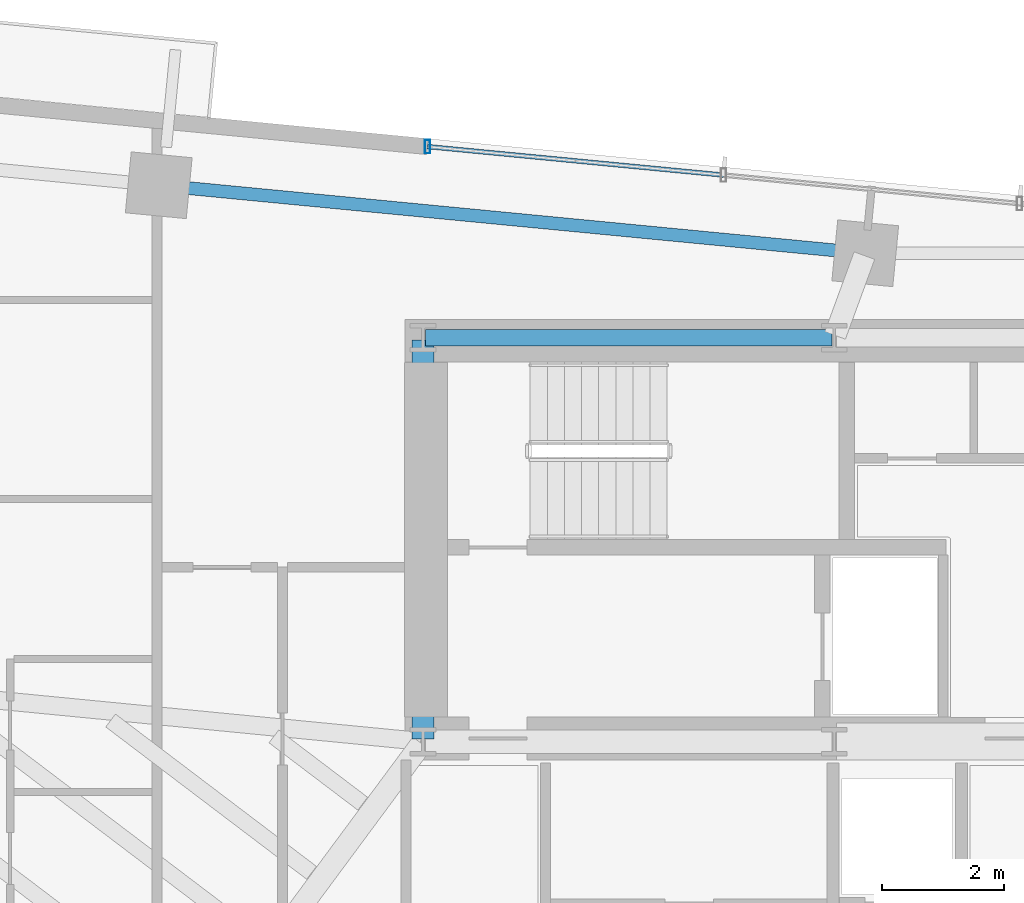
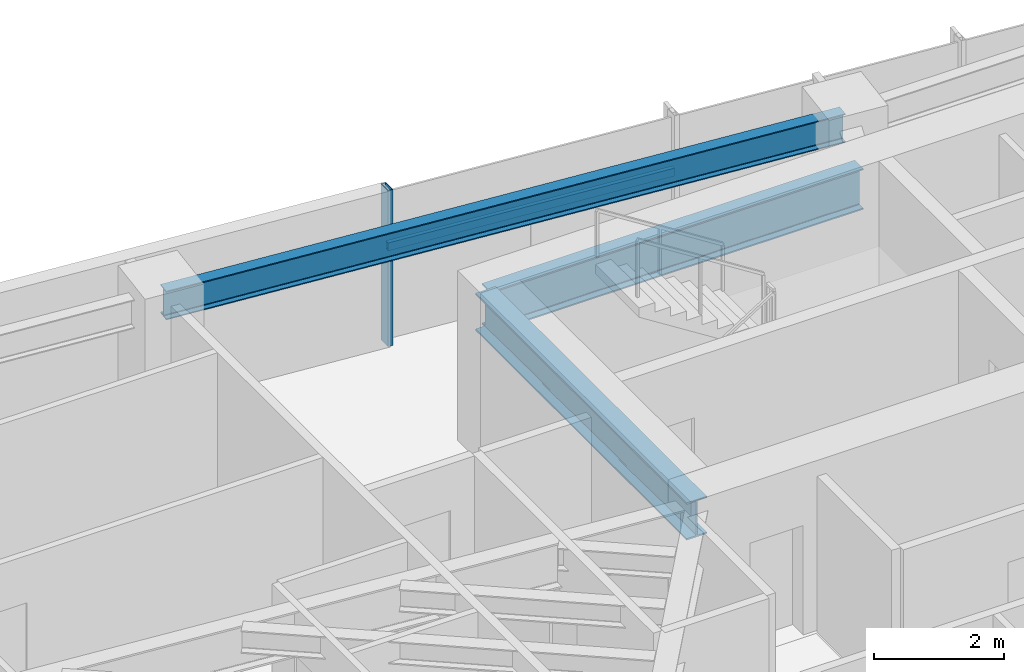
# One storey, part 7 of 20: 3 beams, 2 members, 1 element without a shape of its own.
"""IFC4 building model written with IfcOpenShell, lengths in metres."""

from ifc_helpers import new_model, si_unit, direction, frame, origin, origin_2d, place, context, subcontext, project, spatial, hollow_rectangle, i_section, extrude, source, transform, mapped, material, material_profile, profile_set, type_object, type_shapes, element, aggregate, save


model = new_model("IFC4")

# Units and contexts
model_context = context("Model", 3, precision=1e-05, world=origin(), true_north=direction((0.0, 1.0)))
body_context = subcontext(model_context, "Body", "Model", "MODEL_VIEW")
ifc_project = project(units=[si_unit("LENGTHUNIT", "METRE"), si_unit("AREAUNIT", "SQUARE_METRE"), si_unit("VOLUMEUNIT", "CUBIC_METRE"), si_unit("PLANEANGLEUNIT", "RADIAN"), si_unit("MASSUNIT", "GRAM", prefix="KILO")], contexts=[model_context])

# Site, building, storey
site_placement = place(None, origin())
site = spatial("IfcSite", under=ifc_project, at=site_placement, CompositionType="ELEMENT")
building_placement = place(site_placement, origin())
building = spatial("IfcBuilding", under=site, at=building_placement, Name="Astriad Promenade Condominiums", CompositionType="ELEMENT")
storey_placement = place(building_placement, frame((0.0, 0.0, 153.39990234375)))
storey = spatial("IfcBuildingStorey", under=building, at=storey_placement, Name="L44", CompositionType="ELEMENT", Elevation=153.39990234375)

# Beams
ifc_material_1 = material(Name="Steel ASTM A992 Grade 50", Category="steel")
ifc_material_profile_1 = material_profile(ifc_material_1, i_section(OverallWidth=0.267822265625, OverallDepth=0.76953125, WebThickness=0.015625, FlangeThickness=0.025390625, FilletRadius=0.021484375, at=origin_2d()), Name="W30X132")
ifc_profile_set_1 = profile_set([ifc_material_profile_1], Name="Steel ASTM A992 Grade 50")
beam_type_1 = type_object("IfcBeamType", Name="STEEL FLOOR GIRDER W30X132", PredefinedType="BEAM", material=ifc_profile_set_1)
shared_shape_1 = source(origin(), body_context, "Body", "SweptSolid", [
    extrude(i_section(OverallWidth=0.267822265625, OverallDepth=0.76953125, WebThickness=0.015625, FlangeThickness=0.025390625, FilletRadius=0.021484375, at=origin_2d()), origin(), (0.0, 0.0, 1.0), 6.64013671875),
])
type_shapes(beam_type_1, [shared_shape_1])
beam_1_placement = place(storey_placement, frame((26.43994140625, 24.0, 2.55517578125), z_axis=(1.0, 0.0, 0.0), x_axis=(0.0, 1.0, 0.0)))
element("IfcBeam", 1, at=beam_1_placement, inside=storey, type_object=beam_type_1, Name="Core Ring Beam CG-N1-L44", PredefinedType="BEAM", context=body_context, shape_type="MappedRepresentation", body=[
    mapped(shared_shape_1, transform((0.0, 0.0, 0.0), scale=1.0)),
])
ifc_material_profile_2 = material_profile(ifc_material_1, i_section(OverallWidth=0.35791015625, OverallDepth=0.706298828125, WebThickness=0.018310546875, FlangeThickness=0.0302734375, FilletRadius=0.020263671875, at=origin_2d()), Name="W27X178")
ifc_profile_set_2 = profile_set([ifc_material_profile_2], Name="Steel ASTM A992 Grade 50")
beam_type_2 = type_object("IfcBeamType", Name="STEEL FLOOR GIRDER W27X178", PredefinedType="BEAM", material=ifc_profile_set_2)
shared_shape_2 = source(origin(), body_context, "Body", "SweptSolid", [
    extrude(i_section(OverallWidth=0.35791015625, OverallDepth=0.706298828125, WebThickness=0.018310546875, FlangeThickness=0.0302734375, FilletRadius=0.020263671875, at=origin_2d()), origin(), (0.0, 0.0, 1.0), 6.52001953125),
])
type_shapes(beam_type_2, [shared_shape_2])
beam_2_placement = place(storey_placement, frame((26.39990234375, 17.43994140625, 2.5869140625), z_axis=(0.0, 1.0, 0.0), x_axis=(-1.0, 0.0, 0.0)))
element("IfcBeam", 2, at=beam_2_placement, inside=storey, type_object=beam_type_2, Name="Core Ring Beam CG-W1-L44", PredefinedType="BEAM", context=body_context, shape_type="MappedRepresentation", body=[
    mapped(shared_shape_2, transform((0.0, 0.0, 0.0), scale=1.0)),
])
ifc_material_profile_3 = material_profile(ifc_material_1, i_section(OverallWidth=0.210693359375, OverallDepth=0.53955078125, WebThickness=0.01171875, FlangeThickness=0.018798828125, FilletRadius=0.0166015625, at=origin_2d()), Name="W21X73")
ifc_profile_set_3 = profile_set([ifc_material_profile_3], Name="Steel ASTM A992 Grade 50")
beam_type_3 = type_object("IfcBeamType", Name="STEEL SPANDREL BEAM W21X73", PredefinedType="SPANDREL", material=ifc_profile_set_3)
shared_shape_3 = source(origin(), body_context, "Body", "SweptSolid", [
    extrude(i_section(OverallWidth=0.210693359375, OverallDepth=0.53955078125, WebThickness=0.01171875, FlangeThickness=0.018798828125, FilletRadius=0.0166015625, at=origin_2d()), origin(), (0.0, 0.0, 1.0), 11.52001953125),
])
type_shapes(beam_type_3, [shared_shape_3])
beam_3_placement = place(storey_placement, frame((33.58642578125, 25.384033203125, 2.67041015625), z_axis=(-0.9953953902, 0.095854145285, 0.0), x_axis=(-0.095854145285, -0.9953953902, 0.0)))
element("IfcBeam", 3, at=beam_3_placement, inside=storey, type_object=beam_type_3, Name="Perimeter Spandrel Beam SP-N2-L44", PredefinedType="SPANDREL", context=body_context, shape_type="MappedRepresentation", body=[
    mapped(shared_shape_3, transform((0.0, 0.0, 0.0), scale=1.0)),
])

# Curtain wall, members
ifc_material_2 = material(Name="Anodised aluminium Black Dark Glass Unitised", Category="aluminium")
curtain_wall_type = type_object("IfcCurtainWallType", Name="CW-B34-DARK", PredefinedType="USERDEFINED", material=ifc_material_2)
curtain_wall_placement = place(storey_placement, origin())
curtain_wall = element("IfcCurtainWall", 4, at=curtain_wall_placement, inside=storey, type_object=curtain_wall_type, Name="CW-L44-N", ObjectType="UNITISED_CURTAIN_WALL", PredefinedType="USERDEFINED")
ifc_material_3 = material(Name="Anodised aluminium 6063-T6 Black", Category="aluminium")
ifc_material_profile_4 = material_profile(ifc_material_3, hollow_rectangle(XDim=0.074951171875, YDim=0.14990234375, WallThickness=0.004150390625, at=origin_2d()), Name="ALU-TRN-75X150")
ifc_profile_set_4 = profile_set([ifc_material_profile_4], Name="Anodised aluminium 6063-T6 Black")
member_type_1 = type_object("IfcMemberType", Name="TRN-ALU-TRN-75X150", PredefinedType="USERDEFINED", material=ifc_profile_set_4)
shared_shape_4 = source(origin(), body_context, "Body", "SweptSolid", [
    extrude(hollow_rectangle(XDim=0.074951171875, YDim=0.14990234375, WallThickness=0.004150390625, at=origin_2d()), origin(), (0.0, 0.0, 1.0), 4.860107421875),
])
type_shapes(member_type_1, [shared_shape_4])
member_1_placement = place(storey_placement, frame((26.470458984375, 27.124267578125, 1.822998046875), z_axis=(0.995396042559, -0.095847370639, 0.0), x_axis=(0.095847370639, 0.995396042559, 0.0)))
member_1 = element("IfcMember", 5, at=member_1_placement, type_object=member_type_1, Name="CW-L44-N-TRN-00-0", ObjectType="TRANSOM", PredefinedType="USERDEFINED", context=body_context, shape_type="MappedRepresentation", body=[
    mapped(shared_shape_4, transform((0.0, 0.0, 0.0), scale=1.0)),
])
ifc_material_profile_5 = material_profile(ifc_material_3, hollow_rectangle(XDim=0.0849609375, YDim=0.219970703125, WallThickness=0.0048828125, at=origin_2d()), Name="ALU-MUL-85X220")
ifc_profile_set_5 = profile_set([ifc_material_profile_5], Name="Anodised aluminium 6063-T6 Black")
member_type_2 = type_object("IfcMemberType", Name="MUL-ALU-MUL-85X220", PredefinedType="MULLION", material=ifc_profile_set_5)
shared_shape_5 = source(origin(), body_context, "Body", "SweptSolid", [
    extrude(hollow_rectangle(XDim=0.0849609375, YDim=0.219970703125, WallThickness=0.0048828125, at=origin_2d()), origin(), (0.0, 0.0, 1.0), 2.940185546875),
])
type_shapes(member_type_2, [shared_shape_5])
member_2_placement = place(storey_placement, frame((26.470458984375, 27.124267578125, 0.0), z_axis=(0.0, 0.0, 1.0), x_axis=(1.0, 0.0, 0.0)))
member_2 = element("IfcMember", 6, at=member_2_placement, type_object=member_type_2, Name="CW-L44-N-MUL-00", PredefinedType="MULLION", context=body_context, shape_type="MappedRepresentation", body=[
    mapped(shared_shape_5, transform((0.0, 0.0, 0.0), scale=1.0)),
])
aggregate(curtain_wall, [member_2, member_1])

save(model, "model.ifc")
